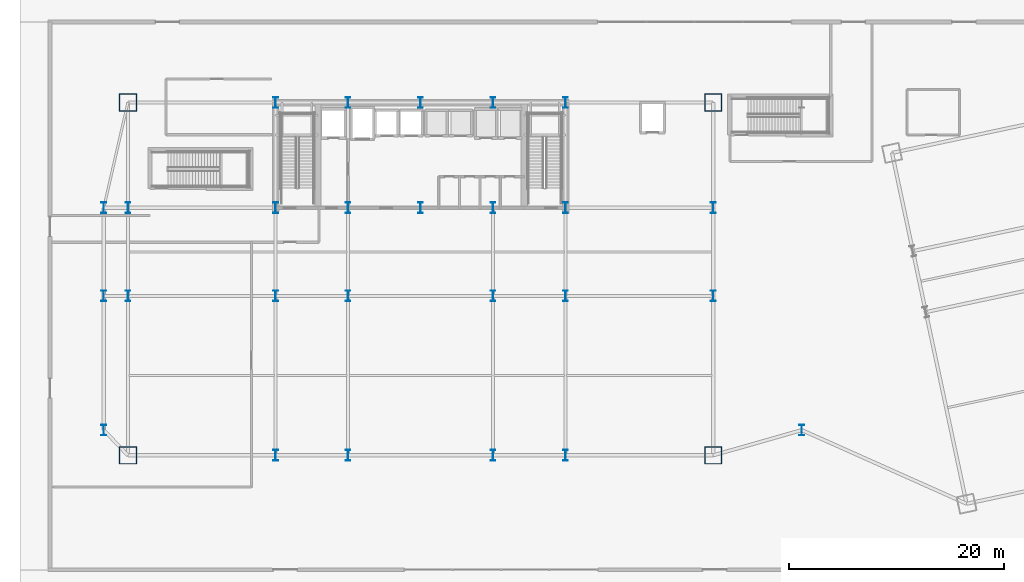
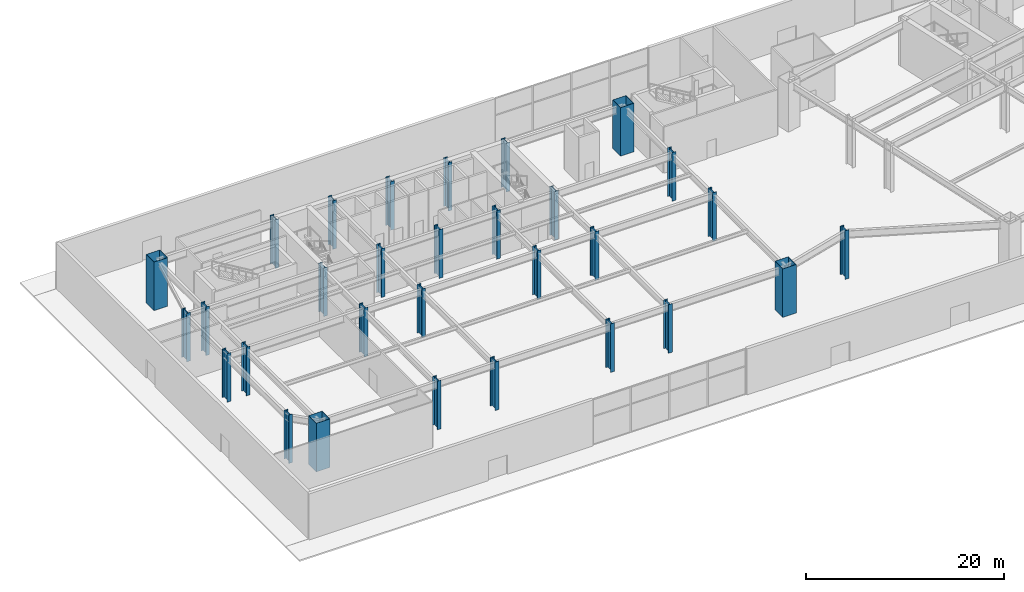
# One storey, part 1 of 30: 30 columns.
"""IFC4 building model written with IfcOpenShell, lengths in metres."""

from ifc_helpers import new_model, si_unit, direction, frame, origin, origin_2d, place, context, subcontext, project, spatial, hollow_rectangle, i_section, extrude, material, material_profile, profile_set, type_object, element, save


model = new_model("IFC4")

# Units and contexts
model_context = context("Model", 3, precision=1e-05, world=origin(), true_north=direction((0.0, 1.0)))
body_context = subcontext(model_context, "Body", "Model", "MODEL_VIEW")
ifc_project = project(units=[si_unit("LENGTHUNIT", "METRE"), si_unit("AREAUNIT", "SQUARE_METRE"), si_unit("VOLUMEUNIT", "CUBIC_METRE"), si_unit("PLANEANGLEUNIT", "RADIAN"), si_unit("MASSUNIT", "GRAM", prefix="KILO")], contexts=[model_context])

# Site, building, storey
site_placement = place(None, origin())
site = spatial("IfcSite", under=ifc_project, at=site_placement, CompositionType="ELEMENT")
building_placement = place(site_placement, origin())
building = spatial("IfcBuilding", under=site, at=building_placement, Name="Haevon Station Towers", CompositionType="ELEMENT")
storey_placement = place(building_placement, origin())
storey = spatial("IfcBuildingStorey", under=building, at=storey_placement, Name="L00", CompositionType="ELEMENT", Elevation=0.0)

# Columns
ifc_material = material(Name="Steel S460", Category="steel")
ifc_material_profile_1 = material_profile(ifc_material, hollow_rectangle(XDim=1.60009765625, YDim=1.60009765625, WallThickness=0.0400390625, at=origin_2d()), Name="BOX-1600x1600x40")
ifc_profile_set_1 = profile_set([ifc_material_profile_1], Name="Steel S460")
column_type_1 = type_object("IfcColumnType", Name="COL-MC1", PredefinedType="COLUMN", material=ifc_profile_set_1)
for number, where, z_axis, x_axis, name in (
    (1, (10.25, 15.14990234375, 0.0), (0.0, 0.0, 1.0), (1.0, 0.0, 0.0), "COL-T1-L00-01-01"),
    (2, (10.25, 48.0, 0.0), (0.0, 0.0, 1.0), (1.0, 0.0, 0.0), "COL-T1-L00-01-04"),
    (3, (64.75, 15.14990234375, 0.0), (0.0, 0.0, 1.0), (1.0, 0.0, 0.0), "COL-T1-L00-07-01"),
    (4, (64.75, 48.0, 0.0), (0.0, 0.0, 1.0), (1.0, 0.0, 0.0), "COL-T1-L00-07-04"),
):
    element("IfcColumn", number, at=place(storey_placement, frame(where, z_axis=z_axis, x_axis=x_axis)), inside=storey, type_object=column_type_1, Name=name, PredefinedType="COLUMN", context=body_context, shape_type="SweptSolid", body=[
        extrude(hollow_rectangle(XDim=1.60009765625, YDim=1.60009765625, WallThickness=0.0400390625, at=origin_2d()), origin(), (0.0, 0.0, 1.0), 6.0),
    ])
ifc_material_profile_2 = material_profile(ifc_material, i_section(OverallWidth=0.449951171875, OverallDepth=1.0, WebThickness=0.02197265625, FlangeThickness=0.0400390625, at=origin_2d()), Name="H-1000x450x22x40")
ifc_profile_set_2 = profile_set([ifc_material_profile_2], Name="Steel S460")
column_type_2 = type_object("IfcColumnType", Name="COL-POD1", PredefinedType="COLUMN", material=ifc_profile_set_2)
for number, where, z_axis, x_axis, name in (
    (5, (10.25, 30.0, 0.0), (0.0, 0.0, 1.0), (1.0, 0.0, 0.0), "COL-T1-L00-01-02"),
    (6, (10.25, 38.199951171875, 0.0), (0.0, 0.0, 1.0), (1.0, 0.0, 0.0), "COL-T1-L00-01-03"),
    (7, (24.0, 15.14990234375, 0.0), (0.0, 0.0, 1.0), (1.0, 0.0, 0.0), "COL-T1-L00-02-01"),
    (8, (24.0, 30.0, 0.0), (0.0, 0.0, 1.0), (1.0, 0.0, 0.0), "COL-T1-L00-02-02"),
    (9, (24.0, 38.199951171875, 0.0), (0.0, 0.0, 1.0), (1.0, 0.0, 0.0), "COL-T1-L00-02-03"),
    (10, (24.0, 48.0, 0.0), (0.0, 0.0, 1.0), (1.0, 0.0, 0.0), "COL-T1-L00-02-04"),
    (11, (30.75, 15.14990234375, 0.0), (0.0, 0.0, 1.0), (1.0, 0.0, 0.0), "COL-T1-L00-03-01"),
    (12, (30.75, 30.0, 0.0), (0.0, 0.0, 1.0), (1.0, 0.0, 0.0), "COL-T1-L00-03-02"),
    (13, (30.75, 38.199951171875, 0.0), (0.0, 0.0, 1.0), (1.0, 0.0, 0.0), "COL-T1-L00-03-03"),
    (14, (30.75, 48.0, 0.0), (0.0, 0.0, 1.0), (1.0, 0.0, 0.0), "COL-T1-L00-03-04"),
    (15, (37.5, 38.199951171875, 0.0), (0.0, 0.0, 1.0), (1.0, 0.0, 0.0), "COL-T1-L00-04-03"),
    (16, (37.5, 48.0, 0.0), (0.0, 0.0, 1.0), (1.0, 0.0, 0.0), "COL-T1-L00-04-04"),
    (17, (44.25, 15.14990234375, 0.0), (0.0, 0.0, 1.0), (1.0, 0.0, 0.0), "COL-T1-L00-05-01"),
    (18, (44.25, 30.0, 0.0), (0.0, 0.0, 1.0), (1.0, 0.0, 0.0), "COL-T1-L00-05-02"),
    (19, (44.25, 38.199951171875, 0.0), (0.0, 0.0, 1.0), (1.0, 0.0, 0.0), "COL-T1-L00-05-03"),
    (20, (44.25, 48.0, 0.0), (0.0, 0.0, 1.0), (1.0, 0.0, 0.0), "COL-T1-L00-05-04"),
    (21, (51.0, 15.14990234375, 0.0), (0.0, 0.0, 1.0), (1.0, 0.0, 0.0), "COL-T1-L00-06-01"),
    (22, (51.0, 30.0, 0.0), (0.0, 0.0, 1.0), (1.0, 0.0, 0.0), "COL-T1-L00-06-02"),
    (23, (51.0, 38.199951171875, 0.0), (0.0, 0.0, 1.0), (1.0, 0.0, 0.0), "COL-T1-L00-06-03"),
    (24, (51.0, 48.0, 0.0), (0.0, 0.0, 1.0), (1.0, 0.0, 0.0), "COL-T1-L00-06-04"),
    (25, (64.75, 30.0, 0.0), (0.0, 0.0, 1.0), (1.0, 0.0, 0.0), "COL-T1-L00-07-02"),
    (26, (64.75, 38.199951171875, 0.0), (0.0, 0.0, 1.0), (1.0, 0.0, 0.0), "COL-T1-L00-07-03"),
    (27, (8.0, 17.5, 0.0), (0.0, 0.0, 1.0), (1.0, 0.0, 0.0), "COL-POD-L00-W1"),
    (28, (8.0, 30.0, 0.0), (0.0, 0.0, 1.0), (1.0, 0.0, 0.0), "COL-POD-L00-W2"),
    (29, (8.0, 38.199951171875, 0.0), (0.0, 0.0, 1.0), (1.0, 0.0, 0.0), "COL-POD-L00-W3"),
    (30, (73.0, 17.5, 0.0), (0.0, 0.0, 1.0), (1.0, 0.0, 0.0), "COL-POD-L00-M1"),
):
    element("IfcColumn", number, at=place(storey_placement, frame(where, z_axis=z_axis, x_axis=x_axis)), inside=storey, type_object=column_type_2, Name=name, PredefinedType="COLUMN", context=body_context, shape_type="SweptSolid", body=[
        extrude(i_section(OverallWidth=0.449951171875, OverallDepth=1.0, WebThickness=0.02197265625, FlangeThickness=0.0400390625, at=origin_2d()), origin(), (0.0, 0.0, 1.0), 6.0),
    ])

save(model, "model.ifc")
